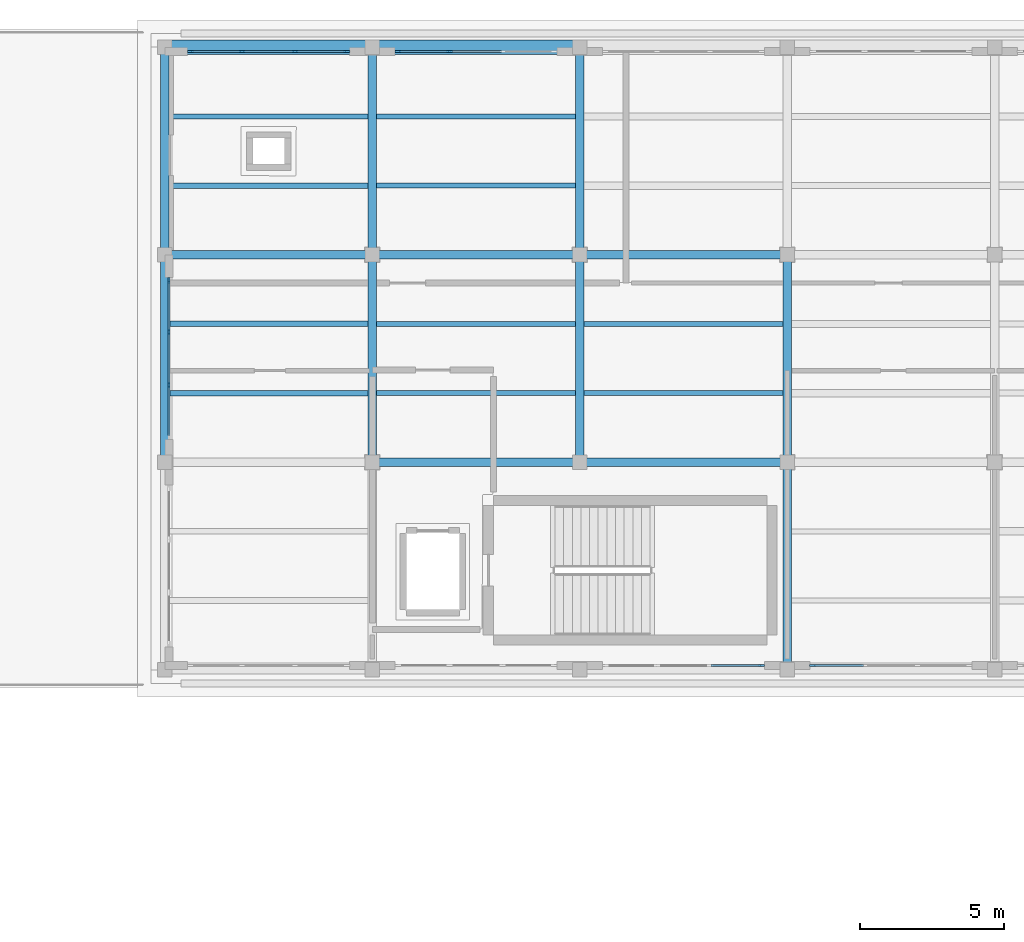
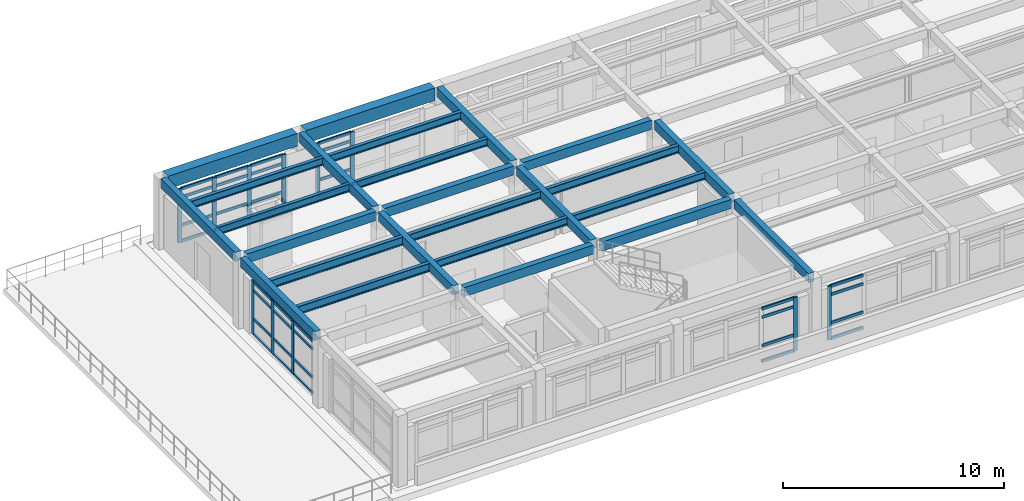
# One storey, part 3 of 18: 48 members, 25 beams, 5 elements without a shape of their own.
"""IFC4 building model written with IfcOpenShell, lengths in metres."""

from ifc_helpers import new_model, si_unit, direction, frame, origin, origin_2d, place, context, subcontext, project, spatial, rectangle, i_section, extrude, material, layer, layer_set, material_profile, profile_set, type_object, element, aggregate, save


model = new_model("IFC4")

# Units and contexts
model_context = context("Model", 3, precision=1e-05, world=origin(), true_north=direction((0.0, 1.0)))
body_context = subcontext(model_context, "Body", "Model", "MODEL_VIEW")
ifc_project = project(units=[si_unit("LENGTHUNIT", "METRE"), si_unit("AREAUNIT", "SQUARE_METRE"), si_unit("VOLUMEUNIT", "CUBIC_METRE"), si_unit("PLANEANGLEUNIT", "RADIAN"), si_unit("MASSUNIT", "GRAM", prefix="KILO")], contexts=[model_context])

# Site, building, storey
site_placement = place(None, origin())
site = spatial("IfcSite", under=ifc_project, at=site_placement, CompositionType="ELEMENT")
building_placement = place(site_placement, origin())
building = spatial("IfcBuilding", under=site, at=building_placement, Name="Solenvale Faculty of Natural Sciences", CompositionType="ELEMENT")
storey_placement = place(building_placement, frame((0.0, 0.0, 39.60009765625)))
storey = spatial("IfcBuildingStorey", under=building, at=storey_placement, Name="L09", CompositionType="ELEMENT", Elevation=39.60009765625)

# Beams
ifc_material_1 = material(Name="Concrete 40 MPa", Category="concrete")
ifc_material_profile_1 = material_profile(ifc_material_1, rectangle(XDim=0.300048828125, YDim=0.5, at=origin_2d()), Name="RC-BM-300x500")
ifc_profile_set_1 = profile_set([ifc_material_profile_1], Name="Concrete 40 MPa")
beam_type_1 = type_object("IfcBeamType", Name="BM-RC-300x500", PredefinedType="BEAM", material=ifc_profile_set_1)
for number, where, z_axis, x_axis, name in (
    (1, (101.030029296875, 100.800048828125, 3.669921875), (1.0, 0.0, 0.0), (0.0, 1.0, 0.0), "L09 X-Girder Y100.8 (100.8..108.0)"),
    (2, (108.22998046875, 100.800048828125, 3.669921875), (1.0, 0.0, 0.0), (0.0, 1.0, 0.0), "L09 X-Girder Y100.8 (108.0..115.2)"),
    (3, (93.830078125, 108.0, 3.669921875), (1.0, 0.0, 0.0), (0.0, 1.0, 0.0), "L09 X-Girder Y108.0 (93.6..100.8)"),
    (4, (101.030029296875, 108.0, 3.669921875), (1.0, 0.0, 0.0), (0.0, 1.0, 0.0), "L09 X-Girder Y108.0 (100.8..108.0)"),
    (5, (108.22998046875, 108.0, 3.669921875), (1.0, 0.0, 0.0), (0.0, 1.0, 0.0), "L09 X-Girder Y108.0 (108.0..115.2)"),
    (6, (93.60009765625, 101.030029296875, 3.669921875), (0.0, 1.0, 0.0), (-1.0, 0.0, 0.0), "L09 Y-Girder X93.6 (100.8..108.0)"),
    (7, (93.60009765625, 108.22998046875, 3.669921875), (0.0, 1.0, 0.0), (-1.0, 0.0, 0.0), "L09 Y-Girder X93.6 (108.0..115.2)"),
    (8, (100.800048828125, 101.030029296875, 3.669921875), (0.0, 1.0, 0.0), (-1.0, 0.0, 0.0), "L09 Y-Girder X100.8 (100.8..108.0)"),
    (9, (100.800048828125, 108.22998046875, 3.669921875), (0.0, 1.0, 0.0), (-1.0, 0.0, 0.0), "L09 Y-Girder X100.8 (108.0..115.2)"),
    (10, (108.0, 101.030029296875, 3.669921875), (0.0, 1.0, 0.0), (-1.0, 0.0, 0.0), "L09 Y-Girder X108.0 (100.8..108.0)"),
    (11, (108.0, 108.22998046875, 3.669921875), (0.0, 1.0, 0.0), (-1.0, 0.0, 0.0), "L09 Y-Girder X108.0 (108.0..115.2)"),
    (12, (115.199951171875, 93.830078125, 3.669921875), (0.0, 1.0, 0.0), (-1.0, 0.0, 0.0), "L09 Y-Girder X115.2 (93.6..100.8)"),
    (13, (115.199951171875, 101.030029296875, 3.669921875), (0.0, 1.0, 0.0), (-1.0, 0.0, 0.0), "L09 Y-Girder X115.2 (100.8..108.0)"),
):
    element("IfcBeam", number, at=place(storey_placement, frame(where, z_axis=z_axis, x_axis=x_axis)), inside=storey, type_object=beam_type_1, Name=name, PredefinedType="BEAM", context=body_context, shape_type="SweptSolid", body=[
        extrude(rectangle(XDim=0.300048828125, YDim=0.5, at=origin_2d()), origin(), (0.0, 0.0, 1.0), 6.739990234375),
    ])
ifc_material_2 = material(Name="Precast concrete 40 MPa", Category="concrete")
ifc_material_profile_2 = material_profile(ifc_material_2, rectangle(XDim=0.5, YDim=0.699951171875, at=origin_2d()), Name="RC-BM-500x700")
ifc_profile_set_2 = profile_set([ifc_material_profile_2], Name="Precast concrete 40 MPa")
beam_type_2 = type_object("IfcBeamType", Name="BM-SPN-PRC-700", PredefinedType="SPANDREL", material=ifc_profile_set_2)
for number, where, z_axis, x_axis, name in (
    (14, (93.830078125, 115.199951171875, 3.56982421875), (1.0, 0.0, 0.0), (0.0, 1.0, 0.0), "L09 X-Girder Y115.2 (93.6..100.8)"),
    (15, (101.030029296875, 115.199951171875, 3.56982421875), (1.0, 0.0, 0.0), (0.0, 1.0, 0.0), "L09 X-Girder Y115.2 (100.8..108.0)"),
):
    element("IfcBeam", number, at=place(storey_placement, frame(where, z_axis=z_axis, x_axis=x_axis)), inside=storey, type_object=beam_type_2, Name=name, PredefinedType="SPANDREL", context=body_context, shape_type="SweptSolid", body=[
        extrude(rectangle(XDim=0.5, YDim=0.699951171875, at=origin_2d()), origin(), (0.0, 0.0, 1.0), 6.739990234375),
    ])
ifc_material_3 = material(Name="Steel S355", Category="steel")
ifc_material_profile_3 = material_profile(ifc_material_3, i_section(OverallWidth=0.178955078125, OverallDepth=0.409912109375, WebThickness=0.0087890625, FlangeThickness=0.014404296875, FilletRadius=0.01611328125, at=origin_2d()), Name="W410x67")
ifc_profile_set_3 = profile_set([ifc_material_profile_3], Name="Steel S355")
beam_type_3 = type_object("IfcBeamType", Name="BM-STL-W410x67", PredefinedType="JOIST", material=ifc_profile_set_3)
for number, where, z_axis, x_axis, name in (
    (16, (100.929931640625, 110.39990234375, 3.71484375), (1.0, 0.0, 0.0), (0.0, 1.0, 0.0), "L09 Composite Floor Joist (15,16).1"),
    (17, (100.929931640625, 112.800048828125, 3.71484375), (1.0, 0.0, 0.0), (0.0, 1.0, 0.0), "L09 Composite Floor Joist (15,16).2"),
    (18, (108.1298828125, 103.199951171875, 3.71484375), (1.0, 0.0, 0.0), (0.0, 1.0, 0.0), "L09 Composite Floor Joist (16,15).1"),
    (19, (108.1298828125, 105.60009765625, 3.71484375), (1.0, 0.0, 0.0), (0.0, 1.0, 0.0), "L09 Composite Floor Joist (16,15).2"),
):
    element("IfcBeam", number, at=place(storey_placement, frame(where, z_axis=z_axis, x_axis=x_axis)), inside=storey, type_object=beam_type_3, Name=name, PredefinedType="JOIST", context=body_context, shape_type="SweptSolid", body=[
        extrude(i_section(OverallWidth=0.178955078125, OverallDepth=0.409912109375, WebThickness=0.0087890625, FlangeThickness=0.014404296875, FilletRadius=0.01611328125, at=origin_2d()), origin(), (0.0, 0.0, 1.0), 6.940185546875),
    ])
ifc_material_profile_4 = material_profile(ifc_material_3, i_section(OverallWidth=0.180908203125, OverallDepth=0.4169921875, WebThickness=0.010986328125, FlangeThickness=0.018310546875, FilletRadius=0.01611328125, at=origin_2d()), Name="W410x85")
ifc_profile_set_4 = profile_set([ifc_material_profile_4], Name="Steel S355")
beam_type_4 = type_object("IfcBeamType", Name="BM-STL-W410x85", PredefinedType="JOIST", material=ifc_profile_set_4)
for number, where, z_axis, x_axis, name in (
    (20, (93.72998046875, 110.39990234375, 3.71142578125), (1.0, 0.0, 0.0), (0.0, 1.0, 0.0), "L09 Composite Floor Joist (14,16).1"),
    (21, (93.72998046875, 112.800048828125, 3.71142578125), (1.0, 0.0, 0.0), (0.0, 1.0, 0.0), "L09 Composite Floor Joist (14,16).2"),
):
    element("IfcBeam", number, at=place(storey_placement, frame(where, z_axis=z_axis, x_axis=x_axis)), inside=storey, type_object=beam_type_4, Name=name, PredefinedType="JOIST", context=body_context, shape_type="SweptSolid", body=[
        extrude(i_section(OverallWidth=0.180908203125, OverallDepth=0.4169921875, WebThickness=0.010986328125, FlangeThickness=0.018310546875, FilletRadius=0.01611328125, at=origin_2d()), origin(), (0.0, 0.0, 1.0), 6.93994140625),
    ])
for number, where, z_axis, x_axis, name in (
    (22, (100.929931640625, 103.199951171875, 3.71142578125), (1.0, 0.0, 0.0), (0.0, 1.0, 0.0), "L09 Composite Floor Joist (15,15).1"),
    (23, (100.929931640625, 105.60009765625, 3.71142578125), (1.0, 0.0, 0.0), (0.0, 1.0, 0.0), "L09 Composite Floor Joist (15,15).2"),
):
    element("IfcBeam", number, at=place(storey_placement, frame(where, z_axis=z_axis, x_axis=x_axis)), inside=storey, type_object=beam_type_4, Name=name, PredefinedType="JOIST", context=body_context, shape_type="SweptSolid", body=[
        extrude(i_section(OverallWidth=0.180908203125, OverallDepth=0.4169921875, WebThickness=0.010986328125, FlangeThickness=0.018310546875, FilletRadius=0.01611328125, at=origin_2d()), origin(), (0.0, 0.0, 1.0), 6.940185546875),
    ])
ifc_material_profile_5 = material_profile(ifc_material_3, i_section(OverallWidth=0.19091796875, OverallDepth=0.4599609375, WebThickness=0.010009765625, FlangeThickness=0.01611328125, FilletRadius=0.01806640625, at=origin_2d()), Name="W460x82")
ifc_profile_set_5 = profile_set([ifc_material_profile_5], Name="Steel S355")
beam_type_5 = type_object("IfcBeamType", Name="BM-STL-W460x82", PredefinedType="JOIST", material=ifc_profile_set_5)
for number, where, z_axis, x_axis, name in (
    (24, (93.72998046875, 103.199951171875, 3.68994140625), (1.0, 0.0, 0.0), (0.0, 1.0, 0.0), "L09 Composite Floor Joist (14,15).1"),
    (25, (93.72998046875, 105.60009765625, 3.68994140625), (1.0, 0.0, 0.0), (0.0, 1.0, 0.0), "L09 Composite Floor Joist (14,15).2"),
):
    element("IfcBeam", number, at=place(storey_placement, frame(where, z_axis=z_axis, x_axis=x_axis)), inside=storey, type_object=beam_type_5, Name=name, PredefinedType="JOIST", context=body_context, shape_type="SweptSolid", body=[
        extrude(i_section(OverallWidth=0.19091796875, OverallDepth=0.4599609375, WebThickness=0.010009765625, FlangeThickness=0.01611328125, FilletRadius=0.01806640625, at=origin_2d()), origin(), (0.0, 0.0, 1.0), 6.93994140625),
    ])

# Curtain wall, members
ifc_material_4 = material(Name="Anodised bronze aluminium", Category="aluminium")
ifc_layer = layer(ifc_material_4, 0.179931640625)
ifc_layer_set = layer_set([ifc_layer], Name="Anodised bronze aluminium")
curtain_wall_type = type_object("IfcCurtainWallType", Name="CW-TWR-MOD", PredefinedType="USERDEFINED", material=ifc_layer_set)
curtain_wall_1_placement = place(storey_placement, origin())
curtain_wall_1 = element("IfcCurtainWall", 26, at=curtain_wall_1_placement, inside=storey, type_object=curtain_wall_type, Name="L09 Curtain Wall CW-L09-P1-E2-B7", ObjectType="UNITISED CURTAIN WALL", PredefinedType="USERDEFINED")
ifc_material_profile_6 = material_profile(ifc_material_4, rectangle(XDim=0.074951171875, YDim=0.2099609375, at=origin_2d()), Name="ALU-MUL-75x210")
ifc_profile_set_6 = profile_set([ifc_material_profile_6], Name="Anodised bronze aluminium")
member_type_1 = type_object("IfcMemberType", Name="CWM-ALU-75x210", PredefinedType="MULLION", material=ifc_profile_set_6)
member_1_placement = place(storey_placement, frame((103.4833984375, 115.0576171875, 0.0), z_axis=(0.0, 0.0, 1.0), x_axis=(0.0, -1.0, 0.0)))
member_1 = element("IfcMember", 27, at=member_1_placement, type_object=member_type_1, Name="CW-04 mullion 3", PredefinedType="MULLION", context=body_context, shape_type="SweptSolid", body=[
    extrude(rectangle(XDim=0.074951171875, YDim=0.2099609375, at=origin_2d()), origin(), (0.0, 0.0, 1.0), 2.9599609375),
])
member_2_placement = place(storey_placement, frame((101.6875, 115.0576171875, 0.0), z_axis=(0.0, 0.0, 1.0), x_axis=(0.0, -1.0, 0.0)))
member_2 = element("IfcMember", 28, at=member_2_placement, type_object=member_type_1, Name="CW-04 mullion 4", PredefinedType="MULLION", context=body_context, shape_type="SweptSolid", body=[
    extrude(rectangle(XDim=0.074951171875, YDim=0.2099609375, at=origin_2d()), origin(), (0.0, 0.0, 1.0), 2.9599609375),
])

curtain_wall_2_placement = place(storey_placement, origin())
curtain_wall_2 = element("IfcCurtainWall", 29, at=curtain_wall_2_placement, inside=storey, type_object=curtain_wall_type, Name="L09 Curtain Wall CW-L09-P1-E2-B8", ObjectType="UNITISED CURTAIN WALL", PredefinedType="USERDEFINED")
member_3_placement = place(storey_placement, frame((99.91259765625, 115.0576171875, 0.0), z_axis=(0.0, 0.0, 1.0), x_axis=(0.0, -1.0, 0.0)))
member_3 = element("IfcMember", 30, at=member_3_placement, type_object=member_type_1, Name="CW-04 mullion 1", PredefinedType="MULLION", context=body_context, shape_type="SweptSolid", body=[
    extrude(rectangle(XDim=0.074951171875, YDim=0.2099609375, at=origin_2d()), origin(), (0.0, 0.0, 1.0), 2.9599609375),
])
member_4_placement = place(storey_placement, frame((98.11669921875, 115.0576171875, 0.0), z_axis=(0.0, 0.0, 1.0), x_axis=(0.0, -1.0, 0.0)))
member_4 = element("IfcMember", 31, at=member_4_placement, type_object=member_type_1, Name="CW-04 mullion 2", PredefinedType="MULLION", context=body_context, shape_type="SweptSolid", body=[
    extrude(rectangle(XDim=0.074951171875, YDim=0.2099609375, at=origin_2d()), origin(), (0.0, 0.0, 1.0), 2.9599609375),
])
member_5_placement = place(storey_placement, frame((96.283447265625, 115.0576171875, 0.0), z_axis=(0.0, 0.0, 1.0), x_axis=(0.0, -1.0, 0.0)))
member_5 = element("IfcMember", 32, at=member_5_placement, type_object=member_type_1, Name="CW-04 mullion 3", PredefinedType="MULLION", context=body_context, shape_type="SweptSolid", body=[
    extrude(rectangle(XDim=0.074951171875, YDim=0.2099609375, at=origin_2d()), origin(), (0.0, 0.0, 1.0), 2.9599609375),
])
member_6_placement = place(storey_placement, frame((94.487548828125, 115.0576171875, 0.0), z_axis=(0.0, 0.0, 1.0), x_axis=(0.0, -1.0, 0.0)))
member_6 = element("IfcMember", 33, at=member_6_placement, type_object=member_type_1, Name="CW-04 mullion 4", PredefinedType="MULLION", context=body_context, shape_type="SweptSolid", body=[
    extrude(rectangle(XDim=0.074951171875, YDim=0.2099609375, at=origin_2d()), origin(), (0.0, 0.0, 1.0), 2.9599609375),
])

curtain_wall_3_placement = place(storey_placement, origin())
curtain_wall_3 = element("IfcCurtainWall", 34, at=curtain_wall_3_placement, inside=storey, type_object=curtain_wall_type, Name="L09 Curtain Wall CW-L09-P1-E3-B2", ObjectType="UNITISED CURTAIN WALL", PredefinedType="USERDEFINED")
member_7_placement = place(storey_placement, frame((93.742431640625, 107.112548828125, 0.0), z_axis=(0.0, 0.0, 1.0), x_axis=(1.0, 0.0, 0.0)))
member_7 = element("IfcMember", 35, at=member_7_placement, type_object=member_type_1, Name="CW-04 mullion 1", PredefinedType="MULLION", context=body_context, shape_type="SweptSolid", body=[
    extrude(rectangle(XDim=0.074951171875, YDim=0.2099609375, at=origin_2d()), origin(), (0.0, 0.0, 1.0), 2.9599609375),
])
member_8_placement = place(storey_placement, frame((93.742431640625, 105.316650390625, 0.0), z_axis=(0.0, 0.0, 1.0), x_axis=(1.0, 0.0, 0.0)))
member_8 = element("IfcMember", 36, at=member_8_placement, type_object=member_type_1, Name="CW-04 mullion 2", PredefinedType="MULLION", context=body_context, shape_type="SweptSolid", body=[
    extrude(rectangle(XDim=0.074951171875, YDim=0.2099609375, at=origin_2d()), origin(), (0.0, 0.0, 1.0), 2.9599609375),
])
member_9_placement = place(storey_placement, frame((93.742431640625, 103.4833984375, 0.0), z_axis=(0.0, 0.0, 1.0), x_axis=(1.0, 0.0, 0.0)))
member_9 = element("IfcMember", 37, at=member_9_placement, type_object=member_type_1, Name="CW-04 mullion 3", PredefinedType="MULLION", context=body_context, shape_type="SweptSolid", body=[
    extrude(rectangle(XDim=0.074951171875, YDim=0.2099609375, at=origin_2d()), origin(), (0.0, 0.0, 1.0), 2.9599609375),
])

# Curtain wall, member
curtain_wall_4_placement = place(storey_placement, origin())
curtain_wall_4 = element("IfcCurtainWall", 38, at=curtain_wall_4_placement, inside=storey, type_object=curtain_wall_type, Name="L09 Curtain Wall CW-L09-P1-E4-B3", ObjectType="UNITISED CURTAIN WALL", PredefinedType="USERDEFINED")
member_10_placement = place(storey_placement, frame((114.3125, 93.742431640625, 0.0), z_axis=(0.0, 0.0, 1.0), x_axis=(0.0, 1.0, 0.0)))
member_10 = element("IfcMember", 39, at=member_10_placement, type_object=member_type_1, Name="CW-04 mullion 4", PredefinedType="MULLION", context=body_context, shape_type="SweptSolid", body=[
    extrude(rectangle(XDim=0.074951171875, YDim=0.2099609375, at=origin_2d()), origin(), (0.0, 0.0, 1.0), 2.9599609375),
])

curtain_wall_5_placement = place(storey_placement, origin())
curtain_wall_5 = element("IfcCurtainWall", 40, at=curtain_wall_5_placement, inside=storey, type_object=curtain_wall_type, Name="L09 Curtain Wall CW-L09-P1-E4-B4", ObjectType="UNITISED CURTAIN WALL", PredefinedType="USERDEFINED")
member_11_placement = place(storey_placement, frame((116.08740234375, 93.742431640625, 0.0), z_axis=(0.0, 0.0, 1.0), x_axis=(0.0, 1.0, 0.0)))
member_11 = element("IfcMember", 41, at=member_11_placement, type_object=member_type_1, Name="CW-04 mullion 1", PredefinedType="MULLION", context=body_context, shape_type="SweptSolid", body=[
    extrude(rectangle(XDim=0.074951171875, YDim=0.2099609375, at=origin_2d()), origin(), (0.0, 0.0, 1.0), 2.9599609375),
])

# Member
ifc_material_profile_7 = material_profile(ifc_material_4, rectangle(XDim=0.074951171875, YDim=0.155029296875, at=origin_2d()), Name="ALU-TRN-75x155")
ifc_profile_set_7 = profile_set([ifc_material_profile_7], Name="Anodised bronze aluminium")
member_type_2 = type_object("IfcMemberType", Name="CWT-ALU-75x155", PredefinedType="USERDEFINED", material=ifc_profile_set_7)
member_12_placement = place(storey_placement, frame((105.279052734375, 115.0576171875, 0.037353515625), z_axis=(-1.0, 0.0, 0.0), x_axis=(0.0, -1.0, 0.0)))
member_12 = element("IfcMember", 42, at=member_12_placement, type_object=member_type_2, Name="CW-04 transom 2.1", ObjectType="TRANSOM", PredefinedType="USERDEFINED", context=body_context, shape_type="SweptSolid", body=[
    extrude(rectangle(XDim=0.074951171875, YDim=0.155029296875, at=origin_2d()), origin(), (0.0, 0.0, 1.0), 1.75830078125),
])

member_13_placement = place(storey_placement, frame((103.44580078125, 115.0576171875, 0.037353515625), z_axis=(-1.0, 0.0, 0.0), x_axis=(0.0, -1.0, 0.0)))
member_13 = element("IfcMember", 43, at=member_13_placement, type_object=member_type_2, Name="CW-04 transom 3.1", ObjectType="TRANSOM", PredefinedType="USERDEFINED", context=body_context, shape_type="SweptSolid", body=[
    extrude(rectangle(XDim=0.074951171875, YDim=0.155029296875, at=origin_2d()), origin(), (0.0, 0.0, 1.0), 1.720703125),
])

member_14_placement = place(storey_placement, frame((103.44580078125, 115.0576171875, 0.89990234375), z_axis=(-1.0, 0.0, 0.0), x_axis=(0.0, -1.0, 0.0)))
member_14 = element("IfcMember", 44, at=member_14_placement, type_object=member_type_2, Name="CW-04 transom 3.2", ObjectType="TRANSOM", PredefinedType="USERDEFINED", context=body_context, shape_type="SweptSolid", body=[
    extrude(rectangle(XDim=0.074951171875, YDim=0.155029296875, at=origin_2d()), origin(), (0.0, 0.0, 1.0), 1.720703125),
])

member_15_placement = place(storey_placement, frame((103.44580078125, 115.0576171875, 2.4599609375), z_axis=(-1.0, 0.0, 0.0), x_axis=(0.0, -1.0, 0.0)))
member_15 = element("IfcMember", 45, at=member_15_placement, type_object=member_type_2, Name="CW-04 transom 3.3", ObjectType="TRANSOM", PredefinedType="USERDEFINED", context=body_context, shape_type="SweptSolid", body=[
    extrude(rectangle(XDim=0.074951171875, YDim=0.155029296875, at=origin_2d()), origin(), (0.0, 0.0, 1.0), 1.720703125),
])

member_16_placement = place(storey_placement, frame((103.44580078125, 115.0576171875, 2.92236328125), z_axis=(-1.0, 0.0, 0.0), x_axis=(0.0, -1.0, 0.0)))
member_16 = element("IfcMember", 46, at=member_16_placement, type_object=member_type_2, Name="CW-04 transom 3.4", ObjectType="TRANSOM", PredefinedType="USERDEFINED", context=body_context, shape_type="SweptSolid", body=[
    extrude(rectangle(XDim=0.074951171875, YDim=0.155029296875, at=origin_2d()), origin(), (0.0, 0.0, 1.0), 1.720703125),
])

aggregate(curtain_wall_1, [member_1, member_2, member_12, member_13, member_14, member_15, member_16])

member_17_placement = place(storey_placement, frame((99.875, 115.0576171875, 0.037353515625), z_axis=(-1.0, 0.0, 0.0), x_axis=(0.0, -1.0, 0.0)))
member_17 = element("IfcMember", 47, at=member_17_placement, type_object=member_type_2, Name="CW-04 transom 1.1", ObjectType="TRANSOM", PredefinedType="USERDEFINED", context=body_context, shape_type="SweptSolid", body=[
    extrude(rectangle(XDim=0.074951171875, YDim=0.155029296875, at=origin_2d()), origin(), (0.0, 0.0, 1.0), 1.720947265625),
])

member_18_placement = place(storey_placement, frame((99.875, 115.0576171875, 0.89990234375), z_axis=(-1.0, 0.0, 0.0), x_axis=(0.0, -1.0, 0.0)))
member_18 = element("IfcMember", 48, at=member_18_placement, type_object=member_type_2, Name="CW-04 transom 1.2", ObjectType="TRANSOM", PredefinedType="USERDEFINED", context=body_context, shape_type="SweptSolid", body=[
    extrude(rectangle(XDim=0.074951171875, YDim=0.155029296875, at=origin_2d()), origin(), (0.0, 0.0, 1.0), 1.720947265625),
])

member_19_placement = place(storey_placement, frame((99.875, 115.0576171875, 2.4599609375), z_axis=(-1.0, 0.0, 0.0), x_axis=(0.0, -1.0, 0.0)))
member_19 = element("IfcMember", 49, at=member_19_placement, type_object=member_type_2, Name="CW-04 transom 1.3", ObjectType="TRANSOM", PredefinedType="USERDEFINED", context=body_context, shape_type="SweptSolid", body=[
    extrude(rectangle(XDim=0.074951171875, YDim=0.155029296875, at=origin_2d()), origin(), (0.0, 0.0, 1.0), 1.720947265625),
])

member_20_placement = place(storey_placement, frame((99.875, 115.0576171875, 2.92236328125), z_axis=(-1.0, 0.0, 0.0), x_axis=(0.0, -1.0, 0.0)))
member_20 = element("IfcMember", 50, at=member_20_placement, type_object=member_type_2, Name="CW-04 transom 1.4", ObjectType="TRANSOM", PredefinedType="USERDEFINED", context=body_context, shape_type="SweptSolid", body=[
    extrude(rectangle(XDim=0.074951171875, YDim=0.155029296875, at=origin_2d()), origin(), (0.0, 0.0, 1.0), 1.720947265625),
])

member_21_placement = place(storey_placement, frame((98.0791015625, 115.0576171875, 0.037353515625), z_axis=(-1.0, 0.0, 0.0), x_axis=(0.0, -1.0, 0.0)))
member_21 = element("IfcMember", 51, at=member_21_placement, type_object=member_type_2, Name="CW-04 transom 2.1", ObjectType="TRANSOM", PredefinedType="USERDEFINED", context=body_context, shape_type="SweptSolid", body=[
    extrude(rectangle(XDim=0.074951171875, YDim=0.155029296875, at=origin_2d()), origin(), (0.0, 0.0, 1.0), 1.75830078125),
])

member_22_placement = place(storey_placement, frame((98.0791015625, 115.0576171875, 0.89990234375), z_axis=(-1.0, 0.0, 0.0), x_axis=(0.0, -1.0, 0.0)))
member_22 = element("IfcMember", 52, at=member_22_placement, type_object=member_type_2, Name="CW-04 transom 2.2", ObjectType="TRANSOM", PredefinedType="USERDEFINED", context=body_context, shape_type="SweptSolid", body=[
    extrude(rectangle(XDim=0.074951171875, YDim=0.155029296875, at=origin_2d()), origin(), (0.0, 0.0, 1.0), 1.75830078125),
])

member_23_placement = place(storey_placement, frame((98.0791015625, 115.0576171875, 2.4599609375), z_axis=(-1.0, 0.0, 0.0), x_axis=(0.0, -1.0, 0.0)))
member_23 = element("IfcMember", 53, at=member_23_placement, type_object=member_type_2, Name="CW-04 transom 2.3", ObjectType="TRANSOM", PredefinedType="USERDEFINED", context=body_context, shape_type="SweptSolid", body=[
    extrude(rectangle(XDim=0.074951171875, YDim=0.155029296875, at=origin_2d()), origin(), (0.0, 0.0, 1.0), 1.75830078125),
])

member_24_placement = place(storey_placement, frame((98.0791015625, 115.0576171875, 2.92236328125), z_axis=(-1.0, 0.0, 0.0), x_axis=(0.0, -1.0, 0.0)))
member_24 = element("IfcMember", 54, at=member_24_placement, type_object=member_type_2, Name="CW-04 transom 2.4", ObjectType="TRANSOM", PredefinedType="USERDEFINED", context=body_context, shape_type="SweptSolid", body=[
    extrude(rectangle(XDim=0.074951171875, YDim=0.155029296875, at=origin_2d()), origin(), (0.0, 0.0, 1.0), 1.75830078125),
])

member_25_placement = place(storey_placement, frame((96.245849609375, 115.0576171875, 0.037353515625), z_axis=(-1.0, 0.0, 0.0), x_axis=(0.0, -1.0, 0.0)))
member_25 = element("IfcMember", 55, at=member_25_placement, type_object=member_type_2, Name="CW-04 transom 3.1", ObjectType="TRANSOM", PredefinedType="USERDEFINED", context=body_context, shape_type="SweptSolid", body=[
    extrude(rectangle(XDim=0.074951171875, YDim=0.155029296875, at=origin_2d()), origin(), (0.0, 0.0, 1.0), 1.720947265625),
])

member_26_placement = place(storey_placement, frame((96.245849609375, 115.0576171875, 0.89990234375), z_axis=(-1.0, 0.0, 0.0), x_axis=(0.0, -1.0, 0.0)))
member_26 = element("IfcMember", 56, at=member_26_placement, type_object=member_type_2, Name="CW-04 transom 3.2", ObjectType="TRANSOM", PredefinedType="USERDEFINED", context=body_context, shape_type="SweptSolid", body=[
    extrude(rectangle(XDim=0.074951171875, YDim=0.155029296875, at=origin_2d()), origin(), (0.0, 0.0, 1.0), 1.720947265625),
])

member_27_placement = place(storey_placement, frame((96.245849609375, 115.0576171875, 2.4599609375), z_axis=(-1.0, 0.0, 0.0), x_axis=(0.0, -1.0, 0.0)))
member_27 = element("IfcMember", 57, at=member_27_placement, type_object=member_type_2, Name="CW-04 transom 3.3", ObjectType="TRANSOM", PredefinedType="USERDEFINED", context=body_context, shape_type="SweptSolid", body=[
    extrude(rectangle(XDim=0.074951171875, YDim=0.155029296875, at=origin_2d()), origin(), (0.0, 0.0, 1.0), 1.720947265625),
])

member_28_placement = place(storey_placement, frame((96.245849609375, 115.0576171875, 2.92236328125), z_axis=(-1.0, 0.0, 0.0), x_axis=(0.0, -1.0, 0.0)))
member_28 = element("IfcMember", 58, at=member_28_placement, type_object=member_type_2, Name="CW-04 transom 3.4", ObjectType="TRANSOM", PredefinedType="USERDEFINED", context=body_context, shape_type="SweptSolid", body=[
    extrude(rectangle(XDim=0.074951171875, YDim=0.155029296875, at=origin_2d()), origin(), (0.0, 0.0, 1.0), 1.720947265625),
])

aggregate(curtain_wall_2, [member_3, member_4, member_5, member_6, member_17, member_18, member_19, member_20, member_21, member_22, member_23, member_24, member_25, member_26, member_27, member_28])

member_29_placement = place(storey_placement, frame((93.742431640625, 107.074951171875, 0.037353515625), z_axis=(0.0, -1.0, 0.0), x_axis=(1.0, 0.0, 0.0)))
member_29 = element("IfcMember", 59, at=member_29_placement, type_object=member_type_2, Name="CW-04 transom 1.1", ObjectType="TRANSOM", PredefinedType="USERDEFINED", context=body_context, shape_type="SweptSolid", body=[
    extrude(rectangle(XDim=0.074951171875, YDim=0.155029296875, at=origin_2d()), origin(), (0.0, 0.0, 1.0), 1.720703125),
])

member_30_placement = place(storey_placement, frame((93.742431640625, 107.074951171875, 0.89990234375), z_axis=(0.0, -1.0, 0.0), x_axis=(1.0, 0.0, 0.0)))
member_30 = element("IfcMember", 60, at=member_30_placement, type_object=member_type_2, Name="CW-04 transom 1.2", ObjectType="TRANSOM", PredefinedType="USERDEFINED", context=body_context, shape_type="SweptSolid", body=[
    extrude(rectangle(XDim=0.074951171875, YDim=0.155029296875, at=origin_2d()), origin(), (0.0, 0.0, 1.0), 1.720703125),
])

member_31_placement = place(storey_placement, frame((93.742431640625, 107.074951171875, 2.4599609375), z_axis=(0.0, -1.0, 0.0), x_axis=(1.0, 0.0, 0.0)))
member_31 = element("IfcMember", 61, at=member_31_placement, type_object=member_type_2, Name="CW-04 transom 1.3", ObjectType="TRANSOM", PredefinedType="USERDEFINED", context=body_context, shape_type="SweptSolid", body=[
    extrude(rectangle(XDim=0.074951171875, YDim=0.155029296875, at=origin_2d()), origin(), (0.0, 0.0, 1.0), 1.720703125),
])

member_32_placement = place(storey_placement, frame((93.742431640625, 107.074951171875, 2.92236328125), z_axis=(0.0, -1.0, 0.0), x_axis=(1.0, 0.0, 0.0)))
member_32 = element("IfcMember", 62, at=member_32_placement, type_object=member_type_2, Name="CW-04 transom 1.4", ObjectType="TRANSOM", PredefinedType="USERDEFINED", context=body_context, shape_type="SweptSolid", body=[
    extrude(rectangle(XDim=0.074951171875, YDim=0.155029296875, at=origin_2d()), origin(), (0.0, 0.0, 1.0), 1.720703125),
])

member_33_placement = place(storey_placement, frame((93.742431640625, 105.279052734375, 0.037353515625), z_axis=(0.0, -1.0, 0.0), x_axis=(1.0, 0.0, 0.0)))
member_33 = element("IfcMember", 63, at=member_33_placement, type_object=member_type_2, Name="CW-04 transom 2.1", ObjectType="TRANSOM", PredefinedType="USERDEFINED", context=body_context, shape_type="SweptSolid", body=[
    extrude(rectangle(XDim=0.074951171875, YDim=0.155029296875, at=origin_2d()), origin(), (0.0, 0.0, 1.0), 1.75830078125),
])

member_34_placement = place(storey_placement, frame((93.742431640625, 105.279052734375, 0.89990234375), z_axis=(0.0, -1.0, 0.0), x_axis=(1.0, 0.0, 0.0)))
member_34 = element("IfcMember", 64, at=member_34_placement, type_object=member_type_2, Name="CW-04 transom 2.2", ObjectType="TRANSOM", PredefinedType="USERDEFINED", context=body_context, shape_type="SweptSolid", body=[
    extrude(rectangle(XDim=0.074951171875, YDim=0.155029296875, at=origin_2d()), origin(), (0.0, 0.0, 1.0), 1.75830078125),
])

member_35_placement = place(storey_placement, frame((93.742431640625, 105.279052734375, 2.4599609375), z_axis=(0.0, -1.0, 0.0), x_axis=(1.0, 0.0, 0.0)))
member_35 = element("IfcMember", 65, at=member_35_placement, type_object=member_type_2, Name="CW-04 transom 2.3", ObjectType="TRANSOM", PredefinedType="USERDEFINED", context=body_context, shape_type="SweptSolid", body=[
    extrude(rectangle(XDim=0.074951171875, YDim=0.155029296875, at=origin_2d()), origin(), (0.0, 0.0, 1.0), 1.75830078125),
])

member_36_placement = place(storey_placement, frame((93.742431640625, 105.279052734375, 2.92236328125), z_axis=(0.0, -1.0, 0.0), x_axis=(1.0, 0.0, 0.0)))
member_36 = element("IfcMember", 66, at=member_36_placement, type_object=member_type_2, Name="CW-04 transom 2.4", ObjectType="TRANSOM", PredefinedType="USERDEFINED", context=body_context, shape_type="SweptSolid", body=[
    extrude(rectangle(XDim=0.074951171875, YDim=0.155029296875, at=origin_2d()), origin(), (0.0, 0.0, 1.0), 1.75830078125),
])

member_37_placement = place(storey_placement, frame((93.742431640625, 103.44580078125, 0.037353515625), z_axis=(0.0, -1.0, 0.0), x_axis=(1.0, 0.0, 0.0)))
member_37 = element("IfcMember", 67, at=member_37_placement, type_object=member_type_2, Name="CW-04 transom 3.1", ObjectType="TRANSOM", PredefinedType="USERDEFINED", context=body_context, shape_type="SweptSolid", body=[
    extrude(rectangle(XDim=0.074951171875, YDim=0.155029296875, at=origin_2d()), origin(), (0.0, 0.0, 1.0), 1.720703125),
])

member_38_placement = place(storey_placement, frame((93.742431640625, 103.44580078125, 0.89990234375), z_axis=(0.0, -1.0, 0.0), x_axis=(1.0, 0.0, 0.0)))
member_38 = element("IfcMember", 68, at=member_38_placement, type_object=member_type_2, Name="CW-04 transom 3.2", ObjectType="TRANSOM", PredefinedType="USERDEFINED", context=body_context, shape_type="SweptSolid", body=[
    extrude(rectangle(XDim=0.074951171875, YDim=0.155029296875, at=origin_2d()), origin(), (0.0, 0.0, 1.0), 1.720703125),
])

member_39_placement = place(storey_placement, frame((93.742431640625, 103.44580078125, 2.4599609375), z_axis=(0.0, -1.0, 0.0), x_axis=(1.0, 0.0, 0.0)))
member_39 = element("IfcMember", 69, at=member_39_placement, type_object=member_type_2, Name="CW-04 transom 3.3", ObjectType="TRANSOM", PredefinedType="USERDEFINED", context=body_context, shape_type="SweptSolid", body=[
    extrude(rectangle(XDim=0.074951171875, YDim=0.155029296875, at=origin_2d()), origin(), (0.0, 0.0, 1.0), 1.720703125),
])

member_40_placement = place(storey_placement, frame((93.742431640625, 103.44580078125, 2.92236328125), z_axis=(0.0, -1.0, 0.0), x_axis=(1.0, 0.0, 0.0)))
member_40 = element("IfcMember", 70, at=member_40_placement, type_object=member_type_2, Name="CW-04 transom 3.4", ObjectType="TRANSOM", PredefinedType="USERDEFINED", context=body_context, shape_type="SweptSolid", body=[
    extrude(rectangle(XDim=0.074951171875, YDim=0.155029296875, at=origin_2d()), origin(), (0.0, 0.0, 1.0), 1.720703125),
])

aggregate(curtain_wall_3, [member_7, member_8, member_9, member_29, member_30, member_31, member_32, member_33, member_34, member_35, member_36, member_37, member_38, member_39, member_40])

member_41_placement = place(storey_placement, frame((112.55419921875, 93.742431640625, 0.037353515625), z_axis=(1.0, 0.0, 0.0), x_axis=(0.0, 1.0, 0.0)))
member_41 = element("IfcMember", 71, at=member_41_placement, type_object=member_type_2, Name="CW-04 transom 3.1", ObjectType="TRANSOM", PredefinedType="USERDEFINED", context=body_context, shape_type="SweptSolid", body=[
    extrude(rectangle(XDim=0.074951171875, YDim=0.155029296875, at=origin_2d()), origin(), (0.0, 0.0, 1.0), 1.720703125),
])

member_42_placement = place(storey_placement, frame((112.55419921875, 93.742431640625, 0.89990234375), z_axis=(1.0, 0.0, 0.0), x_axis=(0.0, 1.0, 0.0)))
member_42 = element("IfcMember", 72, at=member_42_placement, type_object=member_type_2, Name="CW-04 transom 3.2", ObjectType="TRANSOM", PredefinedType="USERDEFINED", context=body_context, shape_type="SweptSolid", body=[
    extrude(rectangle(XDim=0.074951171875, YDim=0.155029296875, at=origin_2d()), origin(), (0.0, 0.0, 1.0), 1.720703125),
])

member_43_placement = place(storey_placement, frame((112.55419921875, 93.742431640625, 2.4599609375), z_axis=(1.0, 0.0, 0.0), x_axis=(0.0, 1.0, 0.0)))
member_43 = element("IfcMember", 73, at=member_43_placement, type_object=member_type_2, Name="CW-04 transom 3.3", ObjectType="TRANSOM", PredefinedType="USERDEFINED", context=body_context, shape_type="SweptSolid", body=[
    extrude(rectangle(XDim=0.074951171875, YDim=0.155029296875, at=origin_2d()), origin(), (0.0, 0.0, 1.0), 1.720703125),
])

member_44_placement = place(storey_placement, frame((112.55419921875, 93.742431640625, 2.92236328125), z_axis=(1.0, 0.0, 0.0), x_axis=(0.0, 1.0, 0.0)))
member_44 = element("IfcMember", 74, at=member_44_placement, type_object=member_type_2, Name="CW-04 transom 3.4", ObjectType="TRANSOM", PredefinedType="USERDEFINED", context=body_context, shape_type="SweptSolid", body=[
    extrude(rectangle(XDim=0.074951171875, YDim=0.155029296875, at=origin_2d()), origin(), (0.0, 0.0, 1.0), 1.720703125),
])

aggregate(curtain_wall_4, [member_10, member_41, member_42, member_43, member_44])

member_45_placement = place(storey_placement, frame((116.125, 93.742431640625, 0.037353515625), z_axis=(1.0, 0.0, 0.0), x_axis=(0.0, 1.0, 0.0)))
member_45 = element("IfcMember", 75, at=member_45_placement, type_object=member_type_2, Name="CW-04 transom 1.1", ObjectType="TRANSOM", PredefinedType="USERDEFINED", context=body_context, shape_type="SweptSolid", body=[
    extrude(rectangle(XDim=0.074951171875, YDim=0.155029296875, at=origin_2d()), origin(), (0.0, 0.0, 1.0), 1.720947265625),
])

member_46_placement = place(storey_placement, frame((116.125, 93.742431640625, 0.89990234375), z_axis=(1.0, 0.0, 0.0), x_axis=(0.0, 1.0, 0.0)))
member_46 = element("IfcMember", 76, at=member_46_placement, type_object=member_type_2, Name="CW-04 transom 1.2", ObjectType="TRANSOM", PredefinedType="USERDEFINED", context=body_context, shape_type="SweptSolid", body=[
    extrude(rectangle(XDim=0.074951171875, YDim=0.155029296875, at=origin_2d()), origin(), (0.0, 0.0, 1.0), 1.720947265625),
])

member_47_placement = place(storey_placement, frame((116.125, 93.742431640625, 2.4599609375), z_axis=(1.0, 0.0, 0.0), x_axis=(0.0, 1.0, 0.0)))
member_47 = element("IfcMember", 77, at=member_47_placement, type_object=member_type_2, Name="CW-04 transom 1.3", ObjectType="TRANSOM", PredefinedType="USERDEFINED", context=body_context, shape_type="SweptSolid", body=[
    extrude(rectangle(XDim=0.074951171875, YDim=0.155029296875, at=origin_2d()), origin(), (0.0, 0.0, 1.0), 1.720947265625),
])

member_48_placement = place(storey_placement, frame((116.125, 93.742431640625, 2.92236328125), z_axis=(1.0, 0.0, 0.0), x_axis=(0.0, 1.0, 0.0)))
member_48 = element("IfcMember", 78, at=member_48_placement, type_object=member_type_2, Name="CW-04 transom 1.4", ObjectType="TRANSOM", PredefinedType="USERDEFINED", context=body_context, shape_type="SweptSolid", body=[
    extrude(rectangle(XDim=0.074951171875, YDim=0.155029296875, at=origin_2d()), origin(), (0.0, 0.0, 1.0), 1.720947265625),
])

aggregate(curtain_wall_5, [member_11, member_45, member_46, member_47, member_48])

save(model, "model.ifc")
